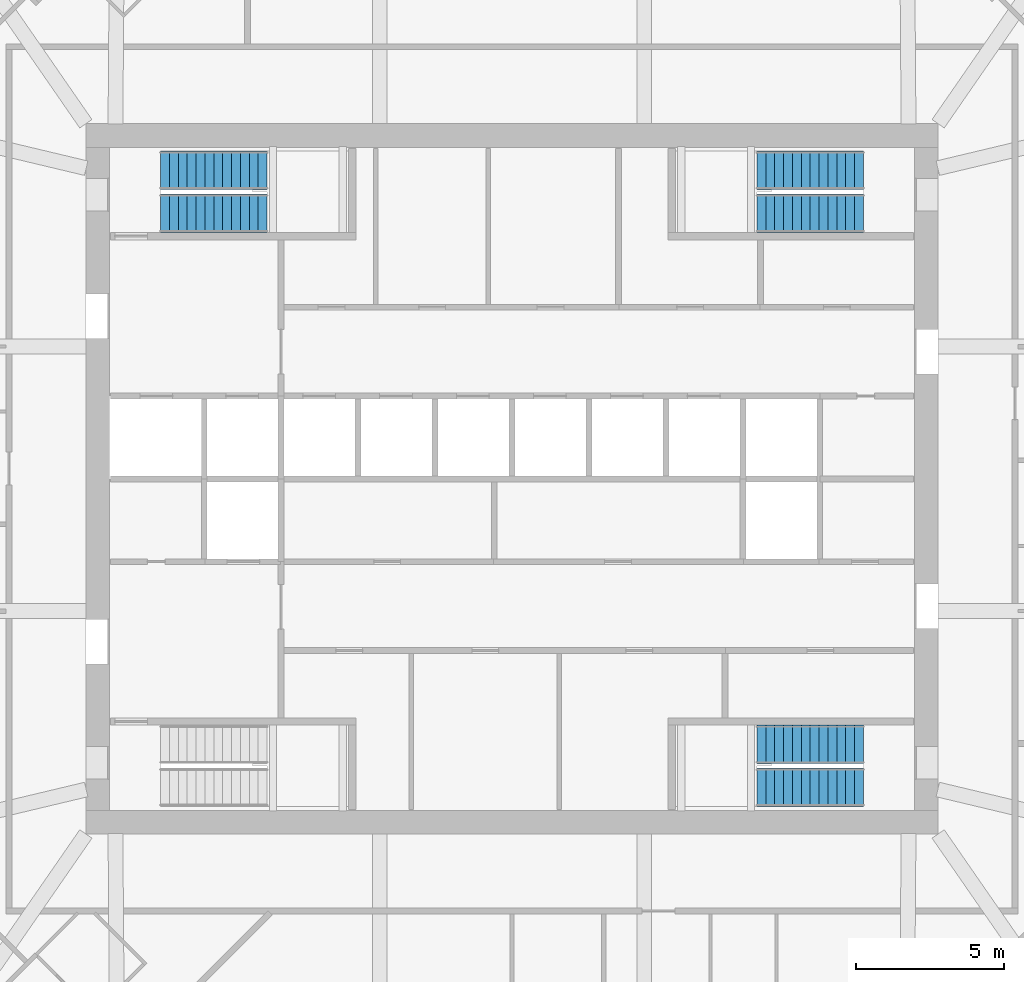
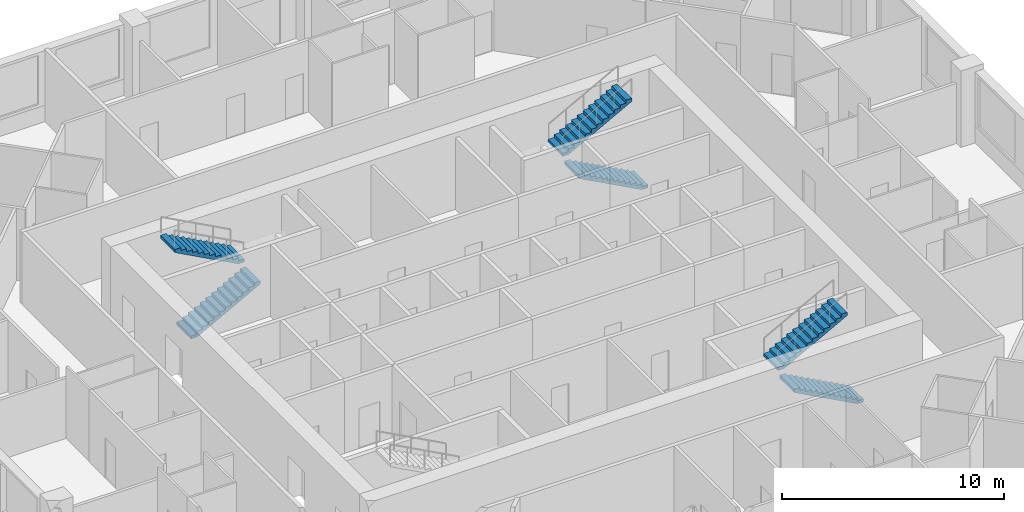
# One storey, part 11 of 12: 6 stair flights, 3 elements without a shape of their own.
"""IFC4 building model written with IfcOpenShell, lengths in metres."""

from ifc_helpers import new_model, si_unit, direction, frame, origin, place, context, subcontext, project, spatial, polyline, outline, extrude, material, type_object, element, aggregate, save


model = new_model("IFC4")

# Units and contexts
model_context = context("Model", 3, precision=1e-05, world=origin(), true_north=direction((0.0, 1.0)))
body_context = subcontext(model_context, "Body", "Model", "MODEL_VIEW")
ifc_project = project(units=[si_unit("LENGTHUNIT", "METRE"), si_unit("AREAUNIT", "SQUARE_METRE"), si_unit("VOLUMEUNIT", "CUBIC_METRE"), si_unit("PLANEANGLEUNIT", "RADIAN"), si_unit("MASSUNIT", "GRAM", prefix="KILO")], contexts=[model_context])

# Site, building, storey
site_placement = place(None, origin())
site = spatial("IfcSite", under=ifc_project, at=site_placement, CompositionType="ELEMENT")
building_placement = place(site_placement, origin())
building = spatial("IfcBuilding", under=site, at=building_placement, Name="Msitu Wima Residences", CompositionType="ELEMENT")
storey_placement = place(building_placement, frame((0.0, 0.0, 127.5)))
storey = spatial("IfcBuildingStorey", under=building, at=storey_placement, Name="L29", CompositionType="ELEMENT", Elevation=127.5)

# Stair, stair flights
ifc_material = material(Name="Concrete C40/50", Category="concrete")
stair_type = type_object("IfcStairType", Name="Exit stair ES1615-130", PredefinedType="HALF_TURN_STAIR", material=ifc_material)
stair_1_placement = place(storey_placement, origin())
stair_1 = element("IfcStair", 1, at=stair_1_placement, inside=storey, type_object=stair_type, Name="Exit stair 1", PredefinedType="HALF_TURN_STAIR")
stair_flight_type = type_object("IfcStairFlightType", Name="Exit stair flight ES1615-130", PredefinedType="STRAIGHT", material=ifc_material)
stair_flight_1_placement = place(storey_placement, frame((-11.875, 8.97509765625, 0.0), z_axis=(0.0, 0.0, 1.0), x_axis=(1.0, 0.0, 0.0)))
stair_flight_1 = element("IfcStairFlight", 2, at=stair_flight_1_placement, type_object=stair_flight_type, Name="S1 flight 1", NumberOfRisers=13, NumberOfTreads=12, PredefinedType="STRAIGHT", RiserHeight=0.161538462, TreadLength=0.3, context=body_context, shape_type="SweptSolid", body=[
    extrude(outline(polyline([(0.0, 0.0), (0.0, 0.16162109375), (0.300048828125, 0.16162109375), (0.300048828125, 0.322998046875), (0.60009765625, 0.322998046875), (0.60009765625, 0.484619140625), (0.89990234375, 0.484619140625), (0.89990234375, 0.646240234375), (1.199951171875, 0.646240234375), (1.199951171875, 0.8076171875), (1.5, 0.8076171875), (1.5, 0.96923828125), (1.800048828125, 0.96923828125), (1.800048828125, 1.130859375), (2.10009765625, 1.130859375), (2.10009765625, 1.292236328125), (2.39990234375, 1.292236328125), (2.39990234375, 1.453857421875), (2.699951171875, 1.453857421875), (2.699951171875, 1.615478515625), (3.0, 1.615478515625), (3.0, 1.77685546875), (3.300048828125, 1.77685546875), (3.300048828125, 1.9384765625), (3.60009765625, 1.9384765625), (3.60009765625, 2.10009765625), (3.60009765625, 1.768310546875), (0.316162109375, 0.0), (0.0, 0.0)])), frame((0.0, 0.64990234375, 0.0), z_axis=(0.0, -1.0, 0.0), x_axis=(1.0, 0.0, 0.0)), (0.0, 0.0, 1.0), 1.300048828125),
])
stair_flight_2_placement = place(storey_placement, frame((-8.27490234375, 10.425048828125, 2.10009765625), z_axis=(0.0, 0.0, 1.0), x_axis=(-1.0, 0.0, 0.0)))
stair_flight_2 = element("IfcStairFlight", 3, at=stair_flight_2_placement, type_object=stair_flight_type, Name="S1 flight 2", NumberOfRisers=13, NumberOfTreads=12, PredefinedType="STRAIGHT", RiserHeight=0.161538462, TreadLength=0.3, context=body_context, shape_type="SweptSolid", body=[
    extrude(outline(polyline([(0.0, 0.0), (0.0, 0.16162109375), (0.300048828125, 0.16162109375), (0.300048828125, 0.322998046875), (0.60009765625, 0.322998046875), (0.60009765625, 0.484619140625), (0.89990234375, 0.484619140625), (0.89990234375, 0.646240234375), (1.199951171875, 0.646240234375), (1.199951171875, 0.8076171875), (1.5, 0.8076171875), (1.5, 0.96923828125), (1.800048828125, 0.96923828125), (1.800048828125, 1.130859375), (2.10009765625, 1.130859375), (2.10009765625, 1.292236328125), (2.39990234375, 1.292236328125), (2.39990234375, 1.453857421875), (2.699951171875, 1.453857421875), (2.699951171875, 1.615478515625), (3.0, 1.615478515625), (3.0, 1.77685546875), (3.300048828125, 1.77685546875), (3.300048828125, 1.9384765625), (3.60009765625, 1.9384765625), (3.60009765625, 2.10009765625), (3.60009765625, 1.768310546875), (0.316162109375, 0.0), (0.0, 0.0)])), frame((0.0, 0.64990234375, 0.0), z_axis=(0.0, -1.0, 0.0), x_axis=(1.0, 0.0, 0.0)), (0.0, 0.0, 1.0), 1.300048828125),
])
aggregate(stair_1, [stair_flight_1, stair_flight_2])

stair_2_placement = place(storey_placement, origin())
stair_2 = element("IfcStair", 4, at=stair_2_placement, inside=storey, type_object=stair_type, Name="Exit stair 3", PredefinedType="HALF_TURN_STAIR")
stair_flight_3_placement = place(storey_placement, frame((11.875, 8.97509765625, 0.0), z_axis=(0.0, 0.0, 1.0), x_axis=(-1.0, 0.0, 0.0)))
stair_flight_3 = element("IfcStairFlight", 5, at=stair_flight_3_placement, type_object=stair_flight_type, Name="S3 flight 1", NumberOfRisers=13, NumberOfTreads=12, PredefinedType="STRAIGHT", RiserHeight=0.161538462, TreadLength=0.3, context=body_context, shape_type="SweptSolid", body=[
    extrude(outline(polyline([(0.0, 0.0), (0.0, 0.16162109375), (0.300048828125, 0.16162109375), (0.300048828125, 0.322998046875), (0.60009765625, 0.322998046875), (0.60009765625, 0.484619140625), (0.89990234375, 0.484619140625), (0.89990234375, 0.646240234375), (1.199951171875, 0.646240234375), (1.199951171875, 0.8076171875), (1.5, 0.8076171875), (1.5, 0.96923828125), (1.800048828125, 0.96923828125), (1.800048828125, 1.130859375), (2.10009765625, 1.130859375), (2.10009765625, 1.292236328125), (2.39990234375, 1.292236328125), (2.39990234375, 1.453857421875), (2.699951171875, 1.453857421875), (2.699951171875, 1.615478515625), (3.0, 1.615478515625), (3.0, 1.77685546875), (3.300048828125, 1.77685546875), (3.300048828125, 1.9384765625), (3.60009765625, 1.9384765625), (3.60009765625, 2.10009765625), (3.60009765625, 1.768310546875), (0.316162109375, 0.0), (0.0, 0.0)])), frame((0.0, 0.64990234375, 0.0), z_axis=(0.0, -1.0, 0.0), x_axis=(1.0, 0.0, 0.0)), (0.0, 0.0, 1.0), 1.300048828125),
])
stair_flight_4_placement = place(storey_placement, frame((8.27490234375, 10.425048828125, 2.10009765625), z_axis=(0.0, 0.0, 1.0), x_axis=(1.0, 0.0, 0.0)))
stair_flight_4 = element("IfcStairFlight", 6, at=stair_flight_4_placement, type_object=stair_flight_type, Name="S3 flight 2", NumberOfRisers=13, NumberOfTreads=12, PredefinedType="STRAIGHT", RiserHeight=0.161538462, TreadLength=0.3, context=body_context, shape_type="SweptSolid", body=[
    extrude(outline(polyline([(0.0, 0.0), (0.0, 0.16162109375), (0.300048828125, 0.16162109375), (0.300048828125, 0.322998046875), (0.60009765625, 0.322998046875), (0.60009765625, 0.484619140625), (0.89990234375, 0.484619140625), (0.89990234375, 0.646240234375), (1.199951171875, 0.646240234375), (1.199951171875, 0.8076171875), (1.5, 0.8076171875), (1.5, 0.96923828125), (1.800048828125, 0.96923828125), (1.800048828125, 1.130859375), (2.10009765625, 1.130859375), (2.10009765625, 1.292236328125), (2.39990234375, 1.292236328125), (2.39990234375, 1.453857421875), (2.699951171875, 1.453857421875), (2.699951171875, 1.615478515625), (3.0, 1.615478515625), (3.0, 1.77685546875), (3.300048828125, 1.77685546875), (3.300048828125, 1.9384765625), (3.60009765625, 1.9384765625), (3.60009765625, 2.10009765625), (3.60009765625, 1.768310546875), (0.316162109375, 0.0), (0.0, 0.0)])), frame((0.0, 0.64990234375, 0.0), z_axis=(0.0, -1.0, 0.0), x_axis=(1.0, 0.0, 0.0)), (0.0, 0.0, 1.0), 1.300048828125),
])
aggregate(stair_2, [stair_flight_3, stair_flight_4])

stair_3_placement = place(storey_placement, origin())
stair_3 = element("IfcStair", 7, at=stair_3_placement, inside=storey, type_object=stair_type, Name="Exit stair 4", PredefinedType="HALF_TURN_STAIR")
stair_flight_5_placement = place(storey_placement, frame((11.875, -10.425048828125, 0.0), z_axis=(0.0, 0.0, 1.0), x_axis=(-1.0, 0.0, 0.0)))
stair_flight_5 = element("IfcStairFlight", 8, at=stair_flight_5_placement, type_object=stair_flight_type, Name="S4 flight 1", NumberOfRisers=13, NumberOfTreads=12, PredefinedType="STRAIGHT", RiserHeight=0.161538462, TreadLength=0.3, context=body_context, shape_type="SweptSolid", body=[
    extrude(outline(polyline([(0.0, 0.0), (0.0, 0.16162109375), (0.300048828125, 0.16162109375), (0.300048828125, 0.322998046875), (0.60009765625, 0.322998046875), (0.60009765625, 0.484619140625), (0.89990234375, 0.484619140625), (0.89990234375, 0.646240234375), (1.199951171875, 0.646240234375), (1.199951171875, 0.8076171875), (1.5, 0.8076171875), (1.5, 0.96923828125), (1.800048828125, 0.96923828125), (1.800048828125, 1.130859375), (2.10009765625, 1.130859375), (2.10009765625, 1.292236328125), (2.39990234375, 1.292236328125), (2.39990234375, 1.453857421875), (2.699951171875, 1.453857421875), (2.699951171875, 1.615478515625), (3.0, 1.615478515625), (3.0, 1.77685546875), (3.300048828125, 1.77685546875), (3.300048828125, 1.9384765625), (3.60009765625, 1.9384765625), (3.60009765625, 2.10009765625), (3.60009765625, 1.768310546875), (0.316162109375, 0.0), (0.0, 0.0)])), frame((0.0, 0.64990234375, 0.0), z_axis=(0.0, -1.0, 0.0), x_axis=(1.0, 0.0, 0.0)), (0.0, 0.0, 1.0), 1.300048828125),
])
stair_flight_6_placement = place(storey_placement, frame((8.27490234375, -8.97509765625, 2.10009765625), z_axis=(0.0, 0.0, 1.0), x_axis=(1.0, 0.0, 0.0)))
stair_flight_6 = element("IfcStairFlight", 9, at=stair_flight_6_placement, type_object=stair_flight_type, Name="S4 flight 2", NumberOfRisers=13, NumberOfTreads=12, PredefinedType="STRAIGHT", RiserHeight=0.161538462, TreadLength=0.3, context=body_context, shape_type="SweptSolid", body=[
    extrude(outline(polyline([(0.0, 0.0), (0.0, 0.16162109375), (0.300048828125, 0.16162109375), (0.300048828125, 0.322998046875), (0.60009765625, 0.322998046875), (0.60009765625, 0.484619140625), (0.89990234375, 0.484619140625), (0.89990234375, 0.646240234375), (1.199951171875, 0.646240234375), (1.199951171875, 0.8076171875), (1.5, 0.8076171875), (1.5, 0.96923828125), (1.800048828125, 0.96923828125), (1.800048828125, 1.130859375), (2.10009765625, 1.130859375), (2.10009765625, 1.292236328125), (2.39990234375, 1.292236328125), (2.39990234375, 1.453857421875), (2.699951171875, 1.453857421875), (2.699951171875, 1.615478515625), (3.0, 1.615478515625), (3.0, 1.77685546875), (3.300048828125, 1.77685546875), (3.300048828125, 1.9384765625), (3.60009765625, 1.9384765625), (3.60009765625, 2.10009765625), (3.60009765625, 1.768310546875), (0.316162109375, 0.0), (0.0, 0.0)])), frame((0.0, 0.64990234375, 0.0), z_axis=(0.0, -1.0, 0.0), x_axis=(1.0, 0.0, 0.0)), (0.0, 0.0, 1.0), 1.300048828125),
])
aggregate(stair_3, [stair_flight_5, stair_flight_6])

save(model, "model.ifc")
